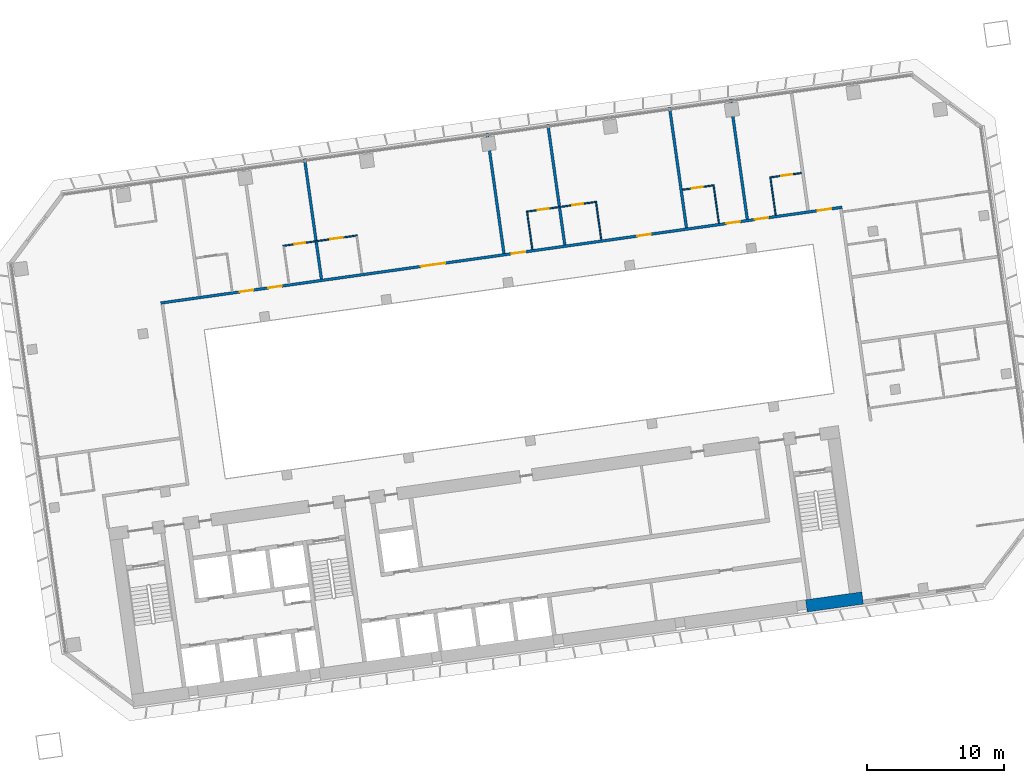
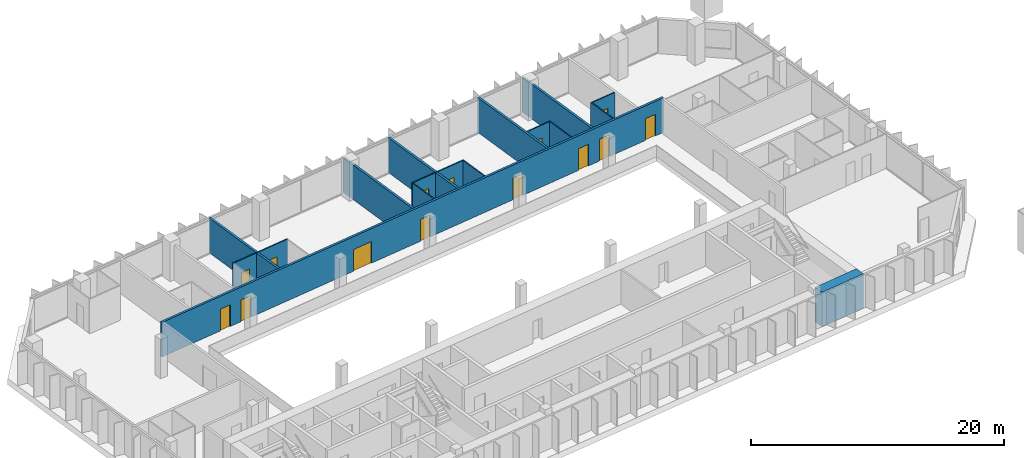
# One storey, part 20 of 24: 15 walls, 14 doors, 14 openings.
"""IFC4 building model written with IfcOpenShell, lengths in metres."""

from ifc_helpers import new_model, si_unit, direction, frame, frame_2d, origin, place, context, subcontext, project, spatial, rectangle, extrude, material, layer, layer_set, type_object, element, fill, save


model = new_model("IFC4")

# Units and contexts
model_context = context("Model", 3, precision=1e-05, world=origin(), true_north=direction((0.0, 1.0)))
body_context = subcontext(model_context, "Body", "Model", "MODEL_VIEW")
ifc_project = project(units=[si_unit("LENGTHUNIT", "METRE"), si_unit("AREAUNIT", "SQUARE_METRE"), si_unit("VOLUMEUNIT", "CUBIC_METRE"), si_unit("PLANEANGLEUNIT", "RADIAN"), si_unit("MASSUNIT", "GRAM", prefix="KILO")], contexts=[model_context])

# Site, building, storey
site_placement = place(None, origin())
site = spatial("IfcSite", under=ifc_project, at=site_placement, CompositionType="ELEMENT")
building_placement = place(site_placement, origin())
building = spatial("IfcBuilding", under=site, at=building_placement, Name="Mirante Cascada Hotel Towers", CompositionType="ELEMENT")
storey_placement = place(building_placement, frame((0.0, 0.0, 77.5)))
storey = spatial("IfcBuildingStorey", under=building, at=storey_placement, Name="L16", CompositionType="ELEMENT", Elevation=77.5)

# Wall, openings, doors
ifc_material_1 = material(Name="Fire-rated plasterboard on metal studs")
ifc_layer_1 = layer(ifc_material_1, 0.2)
ifc_layer_set_1 = layer_set([ifc_layer_1], Name="Compartment wall 200 EI 120")
wall_type_1 = type_object("IfcWallType", Name="Compartment wall 200 EI 120", PredefinedType="PARTITIONING", material=ifc_layer_set_1)
wall_1_placement = place(storey_placement, frame((39.1051, 9.3779, 0.0), z_axis=(0.0, 0.0, 1.0), x_axis=(0.9902681, 0.1391727, 0.0)))
wall_1 = element("IfcWall", 1, at=wall_1_placement, inside=storey, type_object=wall_type_1, Name="Wall 2-L16-13", PredefinedType="PARTITIONING", context=body_context, shape_type="SweptSolid", body=[
    extrude(rectangle(XDim=50.4, YDim=0.2, at=frame_2d((25.2, 0.0))), origin(), (0.0, 0.0, 1.0), 3.35),
])
opening_1_placement = place(wall_1_placement, frame((5.85, 0.0, 0.0)))
opening_1 = element("IfcOpeningElement", 2, at=opening_1_placement, cuts=wall_1, Name="Opening D2-L16-07", PredefinedType="OPENING", context=body_context, shape_type="SweptSolid", body=[
    extrude(rectangle(XDim=1.0, YDim=2.1, at=frame_2d((0.5, 1.05))), frame((0.0, 0.1, 0.0), z_axis=(0.0, -1.0, 0.0), x_axis=(1.0, 0.0, 0.0)), (0.0, 0.0, 1.0), 0.2),
])
opening_2_placement = place(wall_1_placement, frame((7.95, 0.0, 0.0)))
opening_2 = element("IfcOpeningElement", 3, at=opening_2_placement, cuts=wall_1, Name="Opening D2-L16-08", PredefinedType="OPENING", context=body_context, shape_type="SweptSolid", body=[
    extrude(rectangle(XDim=1.0, YDim=2.1, at=frame_2d((0.5, 1.05))), frame((0.0, 0.1, 0.0), z_axis=(0.0, -1.0, 0.0), x_axis=(1.0, 0.0, 0.0)), (0.0, 0.0, 1.0), 0.2),
])
opening_3_placement = place(wall_1_placement, frame((19.25, 0.0, 0.0)))
opening_3 = element("IfcOpeningElement", 4, at=opening_3_placement, cuts=wall_1, Name="Opening D2-L16-09", PredefinedType="OPENING", context=body_context, shape_type="SweptSolid", body=[
    extrude(rectangle(XDim=1.8, YDim=2.1, at=frame_2d((0.9, 1.05))), frame((0.0, 0.1, 0.0), z_axis=(0.0, -1.0, 0.0), x_axis=(1.0, 0.0, 0.0)), (0.0, 0.0, 1.0), 0.2),
])
opening_4_placement = place(wall_1_placement, frame((25.95, 0.0, 0.0)))
opening_4 = element("IfcOpeningElement", 5, at=opening_4_placement, cuts=wall_1, Name="Opening D2-L16-10", PredefinedType="OPENING", context=body_context, shape_type="SweptSolid", body=[
    extrude(rectangle(XDim=1.0, YDim=2.1, at=frame_2d((0.5, 1.05))), frame((0.0, 0.1, 0.0), z_axis=(0.0, -1.0, 0.0), x_axis=(1.0, 0.0, 0.0)), (0.0, 0.0, 1.0), 0.2),
])
opening_5_placement = place(wall_1_placement, frame((35.25, 0.0, 0.0)))
opening_5 = element("IfcOpeningElement", 6, at=opening_5_placement, cuts=wall_1, Name="Opening D2-L16-11", PredefinedType="OPENING", context=body_context, shape_type="SweptSolid", body=[
    extrude(rectangle(XDim=1.0, YDim=2.1, at=frame_2d((0.5, 1.05))), frame((0.0, 0.1, 0.0), z_axis=(0.0, -1.0, 0.0), x_axis=(1.0, 0.0, 0.0)), (0.0, 0.0, 1.0), 0.2),
])
opening_6_placement = place(wall_1_placement, frame((41.85, 0.0, 0.0)))
opening_6 = element("IfcOpeningElement", 7, at=opening_6_placement, cuts=wall_1, Name="Opening D2-L16-12", PredefinedType="OPENING", context=body_context, shape_type="SweptSolid", body=[
    extrude(rectangle(XDim=1.0, YDim=2.1, at=frame_2d((0.5, 1.05))), frame((0.0, 0.1, 0.0), z_axis=(0.0, -1.0, 0.0), x_axis=(1.0, 0.0, 0.0)), (0.0, 0.0, 1.0), 0.2),
])
opening_7_placement = place(wall_1_placement, frame((43.95, 0.0, 0.0)))
opening_7 = element("IfcOpeningElement", 8, at=opening_7_placement, cuts=wall_1, Name="Opening D2-L16-13", PredefinedType="OPENING", context=body_context, shape_type="SweptSolid", body=[
    extrude(rectangle(XDim=1.0, YDim=2.1, at=frame_2d((0.5, 1.05))), frame((0.0, 0.1, 0.0), z_axis=(0.0, -1.0, 0.0), x_axis=(1.0, 0.0, 0.0)), (0.0, 0.0, 1.0), 0.2),
])
opening_8_placement = place(wall_1_placement, frame((48.6, 0.0, 0.0)))
opening_8 = element("IfcOpeningElement", 9, at=opening_8_placement, cuts=wall_1, Name="Opening D2-L16-14", PredefinedType="OPENING", context=body_context, shape_type="SweptSolid", body=[
    extrude(rectangle(XDim=1.0, YDim=2.1, at=frame_2d((0.5, 1.05))), frame((0.0, 0.1, 0.0), z_axis=(0.0, -1.0, 0.0), x_axis=(1.0, 0.0, 0.0)), (0.0, 0.0, 1.0), 0.2),
])
ifc_material_2 = material(Name="Fire-rated timber door leaf", Category="wood")
door_type_1 = type_object("IfcDoorType", Name="Entrance door DG1 1000x2100 EI 60", OperationType="SINGLE_SWING_LEFT", PredefinedType="DOOR", material=ifc_material_2)
door_1_placement = place(opening_1_placement, origin())
door_1 = element("IfcDoor", 10, at=door_1_placement, inside=storey, type_object=door_type_1, Name="Door D2-L16-07", OperationType="SINGLE_SWING_LEFT", OverallHeight=2.1, OverallWidth=1.0, PredefinedType="DOOR", context=body_context, shape_type="SweptSolid", body=[
    extrude(rectangle(XDim=1.0, YDim=2.1, at=frame_2d((0.5, 1.05))), frame((0.0, 0.025, 0.0), z_axis=(0.0, -1.0, 0.0), x_axis=(1.0, 0.0, 0.0)), (0.0, 0.0, 1.0), 0.05),
])
fill(opening_1, door_1)
door_2_placement = place(opening_2_placement, origin())
door_2 = element("IfcDoor", 11, at=door_2_placement, inside=storey, type_object=door_type_1, Name="Door D2-L16-08", OperationType="SINGLE_SWING_LEFT", OverallHeight=2.1, OverallWidth=1.0, PredefinedType="DOOR", context=body_context, shape_type="SweptSolid", body=[
    extrude(rectangle(XDim=1.0, YDim=2.1, at=frame_2d((0.5, 1.05))), frame((0.0, 0.025, 0.0), z_axis=(0.0, -1.0, 0.0), x_axis=(1.0, 0.0, 0.0)), (0.0, 0.0, 1.0), 0.05),
])
fill(opening_2, door_2)
door_3_placement = place(opening_4_placement, origin())
door_3 = element("IfcDoor", 12, at=door_3_placement, inside=storey, type_object=door_type_1, Name="Door D2-L16-10", OperationType="SINGLE_SWING_LEFT", OverallHeight=2.1, OverallWidth=1.0, PredefinedType="DOOR", context=body_context, shape_type="SweptSolid", body=[
    extrude(rectangle(XDim=1.0, YDim=2.1, at=frame_2d((0.5, 1.05))), frame((0.0, 0.025, 0.0), z_axis=(0.0, -1.0, 0.0), x_axis=(1.0, 0.0, 0.0)), (0.0, 0.0, 1.0), 0.05),
])
fill(opening_4, door_3)
door_4_placement = place(opening_5_placement, origin())
door_4 = element("IfcDoor", 13, at=door_4_placement, inside=storey, type_object=door_type_1, Name="Door D2-L16-11", OperationType="SINGLE_SWING_LEFT", OverallHeight=2.1, OverallWidth=1.0, PredefinedType="DOOR", context=body_context, shape_type="SweptSolid", body=[
    extrude(rectangle(XDim=1.0, YDim=2.1, at=frame_2d((0.5, 1.05))), frame((0.0, 0.025, 0.0), z_axis=(0.0, -1.0, 0.0), x_axis=(1.0, 0.0, 0.0)), (0.0, 0.0, 1.0), 0.05),
])
fill(opening_5, door_4)
door_5_placement = place(opening_6_placement, origin())
door_5 = element("IfcDoor", 14, at=door_5_placement, inside=storey, type_object=door_type_1, Name="Door D2-L16-12", OperationType="SINGLE_SWING_LEFT", OverallHeight=2.1, OverallWidth=1.0, PredefinedType="DOOR", context=body_context, shape_type="SweptSolid", body=[
    extrude(rectangle(XDim=1.0, YDim=2.1, at=frame_2d((0.5, 1.05))), frame((0.0, 0.025, 0.0), z_axis=(0.0, -1.0, 0.0), x_axis=(1.0, 0.0, 0.0)), (0.0, 0.0, 1.0), 0.05),
])
fill(opening_6, door_5)
door_6_placement = place(opening_7_placement, origin())
door_6 = element("IfcDoor", 15, at=door_6_placement, inside=storey, type_object=door_type_1, Name="Door D2-L16-13", OperationType="SINGLE_SWING_LEFT", OverallHeight=2.1, OverallWidth=1.0, PredefinedType="DOOR", context=body_context, shape_type="SweptSolid", body=[
    extrude(rectangle(XDim=1.0, YDim=2.1, at=frame_2d((0.5, 1.05))), frame((0.0, 0.025, 0.0), z_axis=(0.0, -1.0, 0.0), x_axis=(1.0, 0.0, 0.0)), (0.0, 0.0, 1.0), 0.05),
])
fill(opening_7, door_6)
door_7_placement = place(opening_8_placement, origin())
door_7 = element("IfcDoor", 16, at=door_7_placement, inside=storey, type_object=door_type_1, Name="Door D2-L16-14", OperationType="SINGLE_SWING_LEFT", OverallHeight=2.1, OverallWidth=1.0, PredefinedType="DOOR", context=body_context, shape_type="SweptSolid", body=[
    extrude(rectangle(XDim=1.0, YDim=2.1, at=frame_2d((0.5, 1.05))), frame((0.0, 0.025, 0.0), z_axis=(0.0, -1.0, 0.0), x_axis=(1.0, 0.0, 0.0)), (0.0, 0.0, 1.0), 0.05),
])
fill(opening_8, door_7)
ifc_material_3 = material(Name="Fire-rated timber door leaf", Category="wood")
door_type_2 = type_object("IfcDoorType", Name="Suite double door DG2 1800x2100 EI 60", OperationType="DOUBLE_DOOR_SINGLE_SWING", PredefinedType="DOOR", material=ifc_material_3)
door_8_placement = place(opening_3_placement, origin())
door_8 = element("IfcDoor", 17, at=door_8_placement, inside=storey, type_object=door_type_2, Name="Door D2-L16-09", OperationType="DOUBLE_DOOR_SINGLE_SWING", OverallHeight=2.1, OverallWidth=1.8, PredefinedType="DOOR", context=body_context, shape_type="SweptSolid", body=[
    extrude(rectangle(XDim=0.895, YDim=2.1, at=frame_2d((0.4475, 1.05))), frame((0.0, 0.025, 0.0), z_axis=(0.0, -1.0, 0.0), x_axis=(1.0, 0.0, 0.0)), (0.0, 0.0, 1.0), 0.05),
    extrude(rectangle(XDim=0.895, YDim=2.1, at=frame_2d((1.3525, 1.05))), frame((0.0, 0.025, 0.0), z_axis=(0.0, -1.0, 0.0), x_axis=(1.0, 0.0, 0.0)), (0.0, 0.0, 1.0), 0.05),
])
fill(opening_3, door_8)

# Walls
for number, where, z_axis, x_axis, name in (
    (18, (49.6367, 19.9465, 0.0), (0.0, 0.0, 1.0), (0.1391794, -0.9902672, 0.0), "Wall 2-L16-30"),
    (19, (63.0054, 21.8253, 0.0), (0.0, 0.0, 1.0), (0.1391684, -0.9902687, 0.0), "Wall 2-L16-32"),
    (20, (67.4616, 22.4516, 0.0), (0.0, 0.0, 1.0), (0.1391684, -0.9902687, 0.0), "Wall 2-L16-34"),
    (21, (76.374, 23.7042, 0.0), (0.0, 0.0, 1.0), (0.1391684, -0.9902687, 0.0), "Wall 2-L16-36"),
):
    element("IfcWall", number, at=place(storey_placement, frame(where, z_axis=z_axis, x_axis=x_axis)), inside=storey, type_object=wall_type_1, Name=name, PredefinedType="PARTITIONING", context=body_context, shape_type="SweptSolid", body=[
        extrude(rectangle(XDim=8.9, YDim=0.2, at=frame_2d((4.45, 0.0))), origin(), (0.0, 0.0, 1.0), 3.35),
    ])
wall_2_placement = place(storey_placement, frame((80.8302, 24.3304, 0.0), z_axis=(0.0, 0.0, 1.0), x_axis=(0.13917, -0.9902685, 0.0)))
element("IfcWall", 22, at=wall_2_placement, inside=storey, type_object=wall_type_1, Name="Wall 2-L16-38", PredefinedType="PARTITIONING", context=body_context, shape_type="SweptSolid", body=[
    extrude(rectangle(XDim=8.8999, YDim=0.2, at=frame_2d((4.45, 0.0))), origin(), (0.0, 0.0, 1.0), 3.35),
])

# Wall, openings, doors
ifc_material_4 = material(Name="Plasterboard on metal studs")
ifc_layer_2 = layer(ifc_material_4, 0.1)
ifc_layer_set_2 = layer_set([ifc_layer_2], Name="Partition 100")
wall_type_2 = type_object("IfcWallType", Name="Partition 100", PredefinedType="PARTITIONING", material=ifc_layer_set_2)
wall_3_placement = place(storey_placement, frame((48.0595, 13.5649, 0.0), z_axis=(0.0, 0.0, 1.0), x_axis=(0.9902695, 0.1391632, 0.0)))
wall_3 = element("IfcWall", 23, at=wall_3_placement, inside=storey, type_object=wall_type_2, Name="Wall 2-L16-15", PredefinedType="PARTITIONING", context=body_context, shape_type="SweptSolid", body=[
    extrude(rectangle(XDim=5.5, YDim=0.1, at=frame_2d((2.75, 0.0))), origin(), (0.0, 0.0, 1.0), 3.35),
])
opening_9_placement = place(wall_3_placement, frame((0.85, 0.0, 0.0)))
opening_9 = element("IfcOpeningElement", 24, at=opening_9_placement, cuts=wall_3, Name="Opening D2-L16-16", PredefinedType="OPENING", context=body_context, shape_type="SweptSolid", body=[
    extrude(rectangle(XDim=0.8, YDim=2.1, at=frame_2d((0.4, 1.05))), frame((0.0, 0.05, 0.0), z_axis=(0.0, -1.0, 0.0), x_axis=(1.0, 0.0, 0.0)), (0.0, 0.0, 1.0), 0.1),
])
opening_10_placement = place(wall_3_placement, frame((3.5, 0.0, 0.0)))
opening_10 = element("IfcOpeningElement", 25, at=opening_10_placement, cuts=wall_3, Name="Opening D2-L16-17", PredefinedType="OPENING", context=body_context, shape_type="SweptSolid", body=[
    extrude(rectangle(XDim=0.9, YDim=2.1, at=frame_2d((0.45, 1.05))), frame((0.0, 0.05, 0.0), z_axis=(0.0, -1.0, 0.0), x_axis=(1.0, 0.0, 0.0)), (0.0, 0.0, 1.0), 0.1),
])
ifc_material_5 = material(Name="Timber door leaf", Category="wood")
door_type_3 = type_object("IfcDoorType", Name="Bathroom door DG4 800x2100", OperationType="SINGLE_SWING_LEFT", PredefinedType="DOOR", material=ifc_material_5)
door_9_placement = place(opening_9_placement, origin())
door_9 = element("IfcDoor", 26, at=door_9_placement, inside=storey, type_object=door_type_3, Name="Door D2-L16-16", OperationType="SINGLE_SWING_LEFT", OverallHeight=2.1, OverallWidth=0.8, PredefinedType="DOOR", context=body_context, shape_type="SweptSolid", body=[
    extrude(rectangle(XDim=0.8, YDim=2.1, at=frame_2d((0.4, 1.05))), frame((0.0, 0.025, 0.0), z_axis=(0.0, -1.0, 0.0), x_axis=(1.0, 0.0, 0.0)), (0.0, 0.0, 1.0), 0.05),
])
fill(opening_9, door_9)
ifc_material_6 = material(Name="Timber door leaf", Category="wood")
door_type_4 = type_object("IfcDoorType", Name="Room door DG3 900x2100", OperationType="SINGLE_SWING_LEFT", PredefinedType="DOOR", material=ifc_material_6)
door_10_placement = place(opening_10_placement, origin())
door_10 = element("IfcDoor", 27, at=door_10_placement, inside=storey, type_object=door_type_4, Name="Door D2-L16-17", OperationType="SINGLE_SWING_LEFT", OverallHeight=2.1, OverallWidth=0.9, PredefinedType="DOOR", context=body_context, shape_type="SweptSolid", body=[
    extrude(rectangle(XDim=0.9, YDim=2.1, at=frame_2d((0.45, 1.05))), frame((0.0, 0.025, 0.0), z_axis=(0.0, -1.0, 0.0), x_axis=(1.0, 0.0, 0.0)), (0.0, 0.0, 1.0), 0.05),
])
fill(opening_10, door_10)

wall_4_placement = place(storey_placement, frame((71.0338, 16.7937, 0.0), z_axis=(0.0, 0.0, 1.0), x_axis=(-0.9902681, -0.1391729, 0.0)))
wall_4 = element("IfcWall", 28, at=wall_4_placement, inside=storey, type_object=wall_type_2, Name="Wall 2-L16-16", PredefinedType="PARTITIONING", context=body_context, shape_type="SweptSolid", body=[
    extrude(rectangle(XDim=5.2, YDim=0.1, at=frame_2d((2.6, 0.0))), origin(), (0.0, 0.0, 1.0), 3.35),
])
opening_11_placement = place(wall_4_placement, frame((3.55, 0.0, 0.0)))
opening_11 = element("IfcOpeningElement", 29, at=opening_11_placement, cuts=wall_4, Name="Opening D2-L16-18", PredefinedType="OPENING", context=body_context, shape_type="SweptSolid", body=[
    extrude(rectangle(XDim=0.8, YDim=2.1, at=frame_2d((0.4, 1.05))), frame((0.0, 0.05, 0.0), z_axis=(0.0, -1.0, 0.0), x_axis=(1.0, 0.0, 0.0)), (0.0, 0.0, 1.0), 0.1),
])
opening_12_placement = place(wall_4_placement, frame((1.0, 0.0, 0.0)))
opening_12 = element("IfcOpeningElement", 30, at=opening_12_placement, cuts=wall_4, Name="Opening D2-L16-19", PredefinedType="OPENING", context=body_context, shape_type="SweptSolid", body=[
    extrude(rectangle(XDim=0.8, YDim=2.1, at=frame_2d((0.4, 1.05))), frame((0.0, 0.05, 0.0), z_axis=(0.0, -1.0, 0.0), x_axis=(1.0, 0.0, 0.0)), (0.0, 0.0, 1.0), 0.1),
])
door_11_placement = place(opening_11_placement, frame((0.8, 0.0, 0.0), z_axis=(0.0, 0.0, 1.0), x_axis=(-1.0, 0.0, 0.0)))
door_11 = element("IfcDoor", 31, at=door_11_placement, inside=storey, type_object=door_type_3, Name="Door D2-L16-18", OperationType="SINGLE_SWING_RIGHT", OverallHeight=2.1, OverallWidth=0.8, PredefinedType="DOOR", context=body_context, shape_type="SweptSolid", body=[
    extrude(rectangle(XDim=0.8, YDim=2.1, at=frame_2d((0.4, 1.05))), frame((0.0, 0.025, 0.0), z_axis=(0.0, -1.0, 0.0), x_axis=(1.0, 0.0, 0.0)), (0.0, 0.0, 1.0), 0.05),
])
fill(opening_11, door_11)
door_12_placement = place(opening_12_placement, frame((0.8, 0.0, 0.0), z_axis=(0.0, 0.0, 1.0), x_axis=(-1.0, 0.0, 0.0)))
door_12 = element("IfcDoor", 32, at=door_12_placement, inside=storey, type_object=door_type_3, Name="Door D2-L16-19", OperationType="SINGLE_SWING_RIGHT", OverallHeight=2.1, OverallWidth=0.8, PredefinedType="DOOR", context=body_context, shape_type="SweptSolid", body=[
    extrude(rectangle(XDim=0.8, YDim=2.1, at=frame_2d((0.4, 1.05))), frame((0.0, 0.025, 0.0), z_axis=(0.0, -1.0, 0.0), x_axis=(1.0, 0.0, 0.0)), (0.0, 0.0, 1.0), 0.05),
])
fill(opening_12, door_12)

# Wall, opening, door
wall_5_placement = place(storey_placement, frame((77.322, 17.6774, 0.0), z_axis=(0.0, 0.0, 1.0), x_axis=(0.9902643, 0.1391997, 0.0)))
wall_5 = element("IfcWall", 33, at=wall_5_placement, inside=storey, type_object=wall_type_2, Name="Wall 2-L16-17", PredefinedType="PARTITIONING", context=body_context, shape_type="SweptSolid", body=[
    extrude(rectangle(XDim=2.25, YDim=0.1, at=frame_2d((1.125, 0.0))), origin(), (0.0, 0.0, 1.0), 3.35),
])
opening_13_placement = place(wall_5_placement, frame((0.7, 0.0, 0.0)))
opening_13 = element("IfcOpeningElement", 34, at=opening_13_placement, cuts=wall_5, Name="Opening D2-L16-20", PredefinedType="OPENING", context=body_context, shape_type="SweptSolid", body=[
    extrude(rectangle(XDim=0.8, YDim=2.1, at=frame_2d((0.4, 1.05))), frame((0.0, 0.05, 0.0), z_axis=(0.0, -1.0, 0.0), x_axis=(1.0, 0.0, 0.0)), (0.0, 0.0, 1.0), 0.1),
])
door_13_placement = place(opening_13_placement, origin())
door_13 = element("IfcDoor", 35, at=door_13_placement, inside=storey, type_object=door_type_3, Name="Door D2-L16-20", OperationType="SINGLE_SWING_LEFT", OverallHeight=2.1, OverallWidth=0.8, PredefinedType="DOOR", context=body_context, shape_type="SweptSolid", body=[
    extrude(rectangle(XDim=0.8, YDim=2.1, at=frame_2d((0.4, 1.05))), frame((0.0, 0.025, 0.0), z_axis=(0.0, -1.0, 0.0), x_axis=(1.0, 0.0, 0.0)), (0.0, 0.0, 1.0), 0.05),
])
fill(opening_13, door_13)

wall_6_placement = place(storey_placement, frame((86.0363, 18.9022, 0.0), z_axis=(0.0, 0.0, 1.0), x_axis=(-0.9902643, -0.1391997, 0.0)))
wall_6 = element("IfcWall", 36, at=wall_6_placement, inside=storey, type_object=wall_type_2, Name="Wall 2-L16-18", PredefinedType="PARTITIONING", context=body_context, shape_type="SweptSolid", body=[
    extrude(rectangle(XDim=2.25, YDim=0.1, at=frame_2d((1.125, 0.0))), origin(), (0.0, 0.0, 1.0), 3.35),
])
opening_14_placement = place(wall_6_placement, frame((0.7, 0.0, 0.0)))
opening_14 = element("IfcOpeningElement", 37, at=opening_14_placement, cuts=wall_6, Name="Opening D2-L16-21", PredefinedType="OPENING", context=body_context, shape_type="SweptSolid", body=[
    extrude(rectangle(XDim=0.8, YDim=2.1, at=frame_2d((0.4, 1.05))), frame((0.0, 0.05, 0.0), z_axis=(0.0, -1.0, 0.0), x_axis=(1.0, 0.0, 0.0)), (0.0, 0.0, 1.0), 0.1),
])
door_14_placement = place(opening_14_placement, frame((0.8, 0.0, 0.0), z_axis=(0.0, 0.0, 1.0), x_axis=(-1.0, 0.0, 0.0)))
door_14 = element("IfcDoor", 38, at=door_14_placement, inside=storey, type_object=door_type_3, Name="Door D2-L16-21", OperationType="SINGLE_SWING_RIGHT", OverallHeight=2.1, OverallWidth=0.8, PredefinedType="DOOR", context=body_context, shape_type="SweptSolid", body=[
    extrude(rectangle(XDim=0.8, YDim=2.1, at=frame_2d((0.4, 1.05))), frame((0.0, 0.025, 0.0), z_axis=(0.0, -1.0, 0.0), x_axis=(1.0, 0.0, 0.0)), (0.0, 0.0, 1.0), 0.05),
])
fill(opening_14, door_14)

# Walls
for number, where, z_axis, x_axis, name in (
    (39, (66.3236, 13.3042, 0.0), (0.0, 0.0, 1.0), (-0.1392013, 0.9902641, 0.0), "Wall 2-L16-33"),
    (40, (71.3739, 14.014, 0.0), (0.0, 0.0, 1.0), (-0.1391657, 0.9902691, 0.0), "Wall 2-L16-35"),
):
    element("IfcWall", number, at=place(storey_placement, frame(where, z_axis=z_axis, x_axis=x_axis)), inside=storey, type_object=wall_type_2, Name=name, PredefinedType="PARTITIONING", context=body_context, shape_type="SweptSolid", body=[
        extrude(rectangle(XDim=2.75, YDim=0.1, at=frame_2d((1.375, 0.0))), origin(), (0.0, 0.0, 1.0), 3.35),
    ])
for number, where, z_axis, x_axis, name in (
    (41, (79.9893, 15.2248, 0.0), (0.0, 0.0, 1.0), (-0.1391909, 0.9902656, 0.0), "Wall 2-L16-37"),
    (42, (84.1484, 15.8093, 0.0), (0.0, 0.0, 1.0), (-0.1391909, 0.9902656, 0.0), "Wall 2-L16-39"),
):
    element("IfcWall", number, at=place(storey_placement, frame(where, z_axis=z_axis, x_axis=x_axis)), inside=storey, type_object=wall_type_2, Name=name, PredefinedType="PARTITIONING", context=body_context, shape_type="SweptSolid", body=[
        extrude(rectangle(XDim=2.85, YDim=0.1, at=frame_2d((1.425, 0.0))), origin(), (0.0, 0.0, 1.0), 3.35),
    ])
ifc_material_7 = material(Name="Concrete C50/60", Category="concrete")
ifc_layer_3 = layer(ifc_material_7, 0.9)
ifc_layer_set_3 = layer_set([ifc_layer_3], Name="RC core wall 900 C50/60")
wall_type_3 = type_object("IfcWallType", Name="RC core wall 900 C50/60", PredefinedType="SHEAR", material=ifc_layer_set_3)
wall_7_placement = place(storey_placement, frame((86.4027, -12.8054, 0.0), z_axis=(0.0, 0.0, 1.0), x_axis=(0.990267, 0.139181, 0.0)))
element("IfcWall", 43, at=wall_7_placement, inside=storey, type_object=wall_type_3, Name="Core wall T2:L16:1.7", PredefinedType="SHEAR", context=body_context, shape_type="SweptSolid", body=[
    extrude(rectangle(XDim=4.15, YDim=0.9, at=frame_2d((2.075, 0.0))), origin(), (0.0, 0.0, 1.0), 3.35),
])

save(model, "model.ifc")
